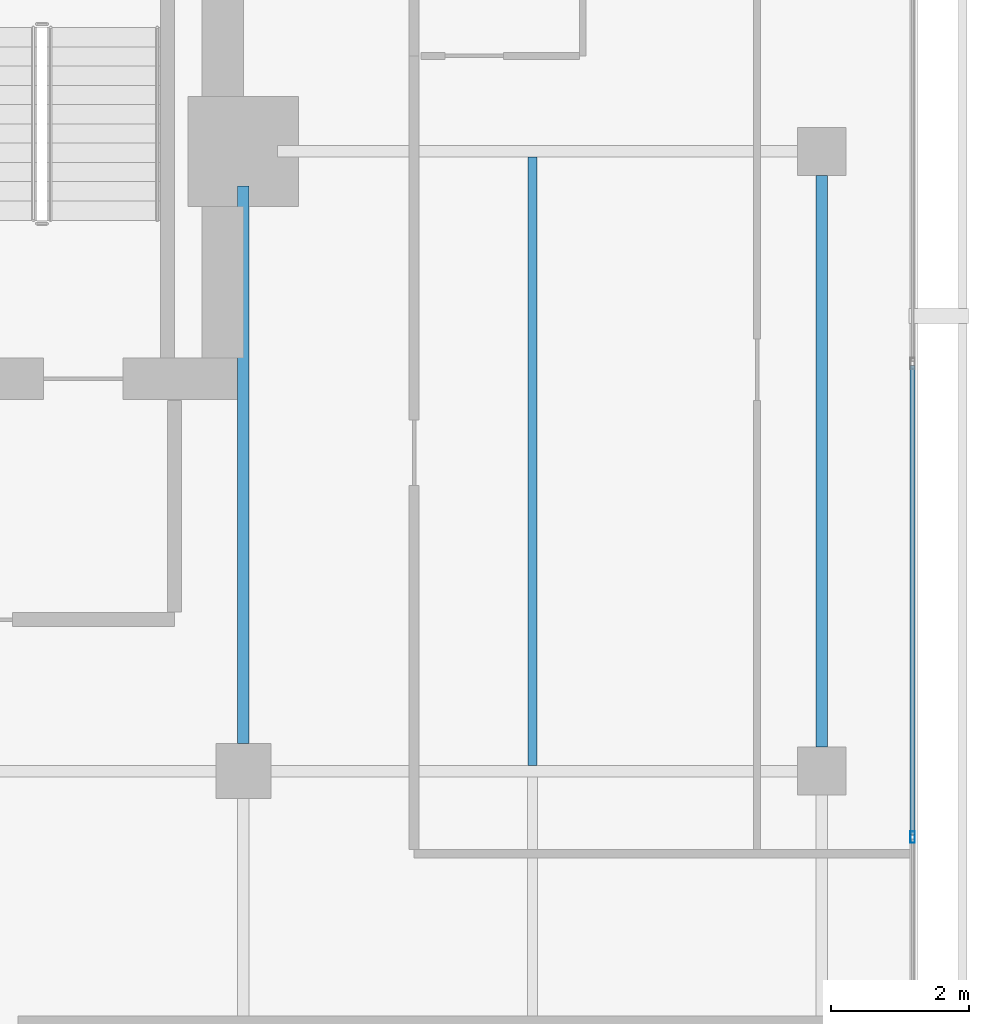
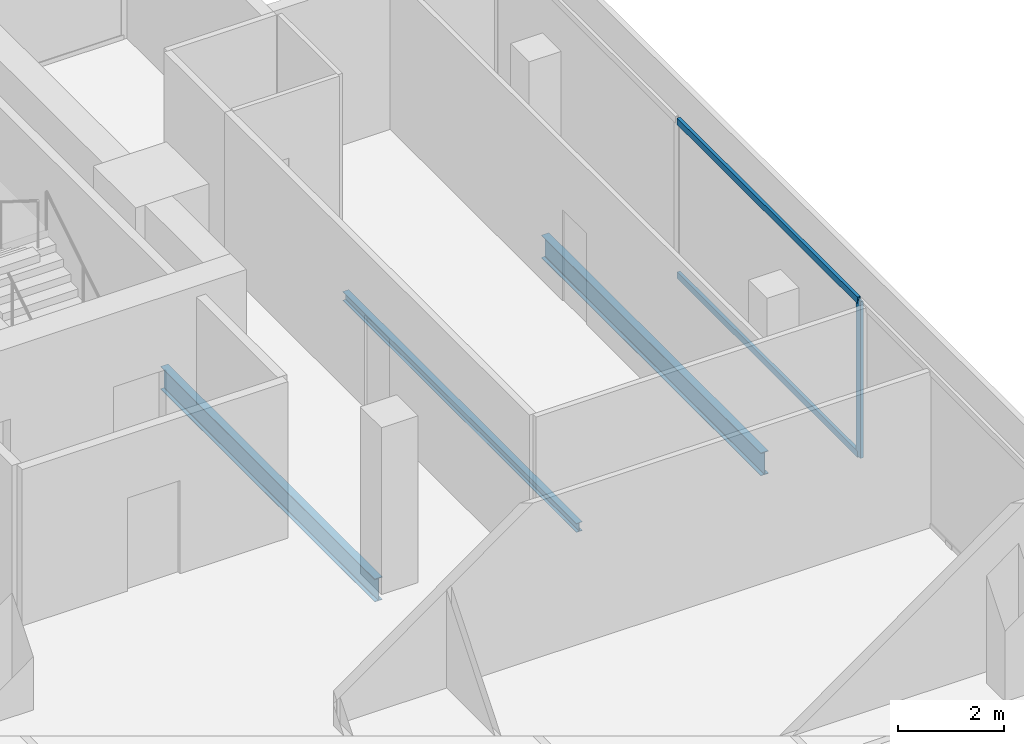
# One storey, part 15 of 25: 3 beams, 3 members, 1 element without a shape of its own.
"""IFC4 building model written with IfcOpenShell, lengths in metres."""

import ifcopenshell
import ifcopenshell.guid

model = None  # the IFC model being written
_history = None  # IfcOwnerHistory: only IFC2X3 demands one
_inside = {}  # id of a spatial element -> (the spatial element, [elements in it])
_under = {}  # id of a project, library or spatial element -> (it, [spatial elements below it])
_declared = {}  # id of a project -> (the project, [libraries it declares])
_typed = {}  # id of a type object -> (the type object, [elements of that type])
_made_of = {}  # id of a material, layer set ... -> (it, [elements and type objects made of it])


def new_model(schema):
    """Start an empty IFC model of exactly this schema.

    Asked for "IFC4X3", IfcOpenShell would pick the latest addendum, in which some entities
    have other attributes; the version numbers below select the first issue.
    IFC2X3 requires an IfcOwnerHistory on every rooted entity: one is made here for all.
    """
    global model, _history
    if schema == "IFC4X3":
        model = ifcopenshell.file(schema_version=(4, 3, 0, 0))
    else:
        model = ifcopenshell.file(schema=schema)
    _inside.clear()
    _under.clear()
    _declared.clear()
    _typed.clear()
    _made_of.clear()
    _history = None
    if model.schema == "IFC2X3":
        org = make("IfcOrganization", Name="unknown")
        user = make(
            "IfcPersonAndOrganization",
            ThePerson=make("IfcPerson", FamilyName="unknown"),
            TheOrganization=org,
        )
        app = make(
            "IfcApplication",
            ApplicationDeveloper=org,
            Version="unknown",
            ApplicationFullName="unknown",
            ApplicationIdentifier="unknown",
        )
        _history = make(
            "IfcOwnerHistory",
            OwningUser=user,
            OwningApplication=app,
            ChangeAction="ADDED",
            CreationDate=0,
        )
    return model


def make(cls, **values):
    """One entity of the class cls with the attributes given. An attribute that is None is left unset."""
    return model.create_entity(
        cls, **{name: value for name, value in values.items() if value is not None}
    )


def rooted(cls, **values):
    """An entity with a GlobalId (a new one), such as an element, a storey or a relation."""
    return make(cls, GlobalId=ifcopenshell.guid.new(), OwnerHistory=_history, **values)


def si_unit(unit_type, name, prefix=None):
    """IfcSIUnit, for example si_unit("LENGTHUNIT", "METRE", prefix="MILLI")."""
    return make("IfcSIUnit", UnitType=unit_type, Prefix=prefix, Name=name)


def assignment(units):
    """IfcUnitAssignment: the units of a project."""
    return None if units is None else make("IfcUnitAssignment", Units=units)


def point(xyz):
    """IfcCartesianPoint."""
    return None if xyz is None else make("IfcCartesianPoint", Coordinates=xyz)


def direction(xyz):
    """IfcDirection."""
    return None if xyz is None else make("IfcDirection", DirectionRatios=xyz)


def frame(location, z_axis=None, x_axis=None):
    """IfcAxis2Placement3D, a coordinate frame: its origin and axes. An axis left out is left unset."""
    return make(
        "IfcAxis2Placement3D",
        Location=point(location),
        Axis=direction(z_axis),
        RefDirection=direction(x_axis),
    )


def frame_2d(location, x_axis=None):
    """IfcAxis2Placement2D, a coordinate frame in the plane: its origin and x axis."""
    return make(
        "IfcAxis2Placement2D", Location=point(location), RefDirection=direction(x_axis)
    )


def origin():
    """The frame at (0, 0, 0) with its axes left unset."""
    return frame((0.0, 0.0, 0.0))


def origin_2d():
    """The frame at (0, 0) in the plane with its x axis left unset."""
    return frame_2d((0.0, 0.0))


def place(relative_to, where):
    """IfcLocalPlacement: puts the frame where relative to a parent placement (None: the world)."""
    return make(
        "IfcLocalPlacement", PlacementRelTo=relative_to, RelativePlacement=where
    )


def context(
    kind, dimensions, precision=None, world=None, true_north=None, identifier=None
):
    """IfcGeometricRepresentationContext, for example the 3D "Model" context."""
    return make(
        "IfcGeometricRepresentationContext",
        ContextIdentifier=identifier,
        ContextType=kind,
        CoordinateSpaceDimension=dimensions,
        Precision=precision,
        WorldCoordinateSystem=world,
        TrueNorth=true_north,
    )


def subcontext(parent, identifier, kind, view, scale=None):
    """IfcGeometricRepresentationSubContext, for example "Body" below "Model"."""
    return make(
        "IfcGeometricRepresentationSubContext",
        ContextIdentifier=identifier,
        ContextType=kind,
        ParentContext=parent,
        TargetScale=scale,
        TargetView=view,
    )


def project(units=None, contexts=None):
    """IfcProject with its units and contexts."""
    return rooted(
        "IfcProject",
        Name="project",
        RepresentationContexts=contexts,
        UnitsInContext=assignment(units),
    )


def spatial(cls, under=None, at=None, **own):
    """A site, building, storey or space (cls), placed at a placement, below another one or the project."""
    s = rooted(cls, ObjectPlacement=at, **own)
    if under is not None:
        _under.setdefault(under.id(), (under, []))[1].append(s)
    return s


def profile(cls, at=None, kind="AREA", **sizes):
    """A parametric profile (cls). Its sizes go by their IFC names, for example OverallWidth=200.0."""
    return make(cls, ProfileType=kind, Position=at, **sizes)


def hollow_rectangle(**sizes):
    """IfcRectangleHollowProfileDef."""
    return profile("IfcRectangleHollowProfileDef", **sizes)


def i_section(**sizes):
    """IfcIShapeProfileDef."""
    return profile("IfcIShapeProfileDef", **sizes)


def extrude(swept, where, along, depth):
    """IfcExtrudedAreaSolid: the profile swept, set in the frame where, extruded along a direction by depth."""
    return make(
        "IfcExtrudedAreaSolid",
        SweptArea=swept,
        Position=where,
        ExtrudedDirection=direction(along),
        Depth=depth,
    )


def shape(context_of_items, identifier, shape_type, items):
    """IfcShapeRepresentation: the items that make up one representation, for example the "Body"."""
    return make(
        "IfcShapeRepresentation",
        ContextOfItems=context_of_items,
        RepresentationIdentifier=identifier,
        RepresentationType=shape_type,
        Items=items,
    )


def material(Name=None, Category=None):
    """IfcMaterial."""
    return make("IfcMaterial", Name=Name, Category=Category)


def layer(
    of_material, thickness, ventilated=None, Name=None, Category=None, Priority=None
):
    """IfcMaterialLayer: one layer of a wall or slab, of a material (None: an air gap)."""
    return make(
        "IfcMaterialLayer",
        Material=of_material,
        LayerThickness=thickness,
        IsVentilated=ventilated,
        Name=Name,
        Category=Category,
        Priority=Priority,
    )


def layer_set(layers, Name=None):
    """IfcMaterialLayerSet."""
    return make("IfcMaterialLayerSet", MaterialLayers=layers, LayerSetName=Name)


def material_profile(
    of_material, cross_section, Name=None, Category=None, Priority=None
):
    """IfcMaterialProfile: a cross section and its material."""
    return make(
        "IfcMaterialProfile",
        Name=Name,
        Material=of_material,
        Profile=cross_section,
        Priority=Priority,
        Category=Category,
    )


def profile_set(profiles, Name=None, composite=None):
    """IfcMaterialProfileSet."""
    return make(
        "IfcMaterialProfileSet",
        Name=Name,
        MaterialProfiles=profiles,
        CompositeProfile=composite,
    )


def made_of(thing, what):
    """Note that an element or type object is made of a material, layer set ...; save() writes the relation."""
    if what is not None:
        _made_of.setdefault(what.id(), (what, []))[1].append(thing)
    return thing


def type_object(cls, material=None, **own):
    """A type object (cls), such as IfcWallType, which elements share."""
    return made_of(rooted(cls, **own), material)


def element(
    cls,
    number,
    at=None,
    inside=None,
    cuts=None,
    type_object=None,
    material=None,
    context=None,
    identifier="Body",
    shape_type=None,
    held_by="IfcProductDefinitionShape",
    body=None,
    shapes=None,
    **own,
):
    """One element of the class cls, such as IfcWall. Its Tag is "e" and its number.

    at: its placement. inside: the storey or other place that contains it. cuts: it is an
    opening in that element (IfcRelVoidsElement). A single representation is given by context,
    identifier, shape_type and body (its items); several are given by shapes. held_by: the class
    of the entity that holds the representations. save() writes the other relations.
    """
    e = rooted(cls, Tag="e%d" % number, ObjectPlacement=at, **own)
    if body is not None:
        shapes = [shape(context, identifier, shape_type, body)]
    if shapes is not None:
        e.Representation = make(held_by, Representations=shapes)
    if inside is not None:
        _inside.setdefault(inside.id(), (inside, []))[1].append(e)
    if cuts is not None:
        rooted(
            "IfcRelVoidsElement", RelatingBuildingElement=cuts, RelatedOpeningElement=e
        )
    if type_object is not None:
        _typed.setdefault(type_object.id(), (type_object, []))[1].append(e)
    return made_of(e, material)


def aggregate(whole, parts):
    """IfcRelAggregates: a whole, such as a stair, and the parts it consists of."""
    return rooted("IfcRelAggregates", RelatingObject=whole, RelatedObjects=parts)


def save(model, path):
    """Write the relations noted so far, then the file.

    IfcRelAggregates (storeys below a building ...), IfcRelContainedInSpatialStructure (elements
    in a storey), IfcRelDefinesByType, IfcRelAssociatesMaterial and IfcRelDeclares: one each for
    every whole, place, type object, material and project.
    """
    for whole, parts in _under.values():
        aggregate(whole, parts)
    for where, things in _inside.values():
        rooted(
            "IfcRelContainedInSpatialStructure",
            RelatedElements=things,
            RelatingStructure=where,
        )
    for kind, things in _typed.values():
        rooted("IfcRelDefinesByType", RelatedObjects=things, RelatingType=kind)
    for what, things in _made_of.values():
        rooted("IfcRelAssociatesMaterial", RelatedObjects=things, RelatingMaterial=what)
    for by, libraries in _declared.values():
        rooted("IfcRelDeclares", RelatingContext=by, RelatedDefinitions=libraries)
    model.write(path)


model = new_model("IFC4")

# Units and contexts
model_context = context("Model", 3, precision=1e-05, world=origin(), true_north=direction((0.0, 1.0)))
body_context = subcontext(model_context, "Body", "Model", "MODEL_VIEW")
ifc_project = project(units=[si_unit("LENGTHUNIT", "METRE"), si_unit("AREAUNIT", "SQUARE_METRE"), si_unit("VOLUMEUNIT", "CUBIC_METRE"), si_unit("PLANEANGLEUNIT", "RADIAN"), si_unit("MASSUNIT", "GRAM", prefix="KILO")], contexts=[model_context])

# Site, building, storey
site_placement = place(None, origin())
site = spatial("IfcSite", under=ifc_project, at=site_placement, CompositionType="ELEMENT")
building_placement = place(site_placement, origin())
building = spatial("IfcBuilding", under=site, at=building_placement, Name="Maruvema Waterfront Hotel and Observation Tower", CompositionType="ELEMENT")
storey_placement = place(building_placement, frame((0.0, 0.0, 281.75)))
storey = spatial("IfcBuildingStorey", under=building, at=storey_placement, Name="L69", CompositionType="ELEMENT", Elevation=281.75)

# Curtain wall, members
ifc_material_1 = material(Name="Anodised bronze aluminium and solar-control low-E IGU", Category="aluminium")
ifc_layer = layer(ifc_material_1, 0.159912109375, Name="Zone 3 Champagne Inner Thermal Curtain Wall System CW-04")
ifc_layer_set = layer_set([ifc_layer], Name="Anodised bronze aluminium and solar-control low-E IGU")
curtain_wall_type = type_object("IfcCurtainWallType", Name="Zone 3 Champagne Inner Thermal Curtain Wall System CW-04", PredefinedType="USERDEFINED", material=ifc_layer_set)
curtain_wall_placement = place(storey_placement, origin())
curtain_wall = element("IfcCurtainWall", 1, at=curtain_wall_placement, inside=storey, type_object=curtain_wall_type, Name="L69 Curtain Wall CW-L69-E", ObjectType="UNITISED CURTAIN WALL", PredefinedType="USERDEFINED")
ifc_material_2 = material(Name="Anodised architectural bronze aluminium", Category="aluminium")
ifc_material_profile_1 = material_profile(ifc_material_2, hollow_rectangle(XDim=0.070068359375, YDim=0.14990234375, WallThickness=0.00390625, at=origin_2d()), Name="ALU-T70x150")
ifc_profile_set_1 = profile_set([ifc_material_profile_1], Name="Anodised architectural bronze aluminium")
member_type_1 = type_object("IfcMemberType", Name="Curtain Wall Horizontal Transom ALU-T70x150", PredefinedType="USERDEFINED", material=ifc_profile_set_1)
member_1_placement = place(storey_placement, frame((60.1201171875, 35.070068359375, 0.030029296875), z_axis=(0.0, 1.0, 0.0), x_axis=(-1.0, 0.0, 0.0)))
member_1 = element("IfcMember", 2, at=member_1_placement, type_object=member_type_1, Name="CW-04 transom 4.1", ObjectType="TRANSOM", PredefinedType="USERDEFINED", context=body_context, shape_type="SweptSolid", body=[
    extrude(hollow_rectangle(XDim=0.070068359375, YDim=0.14990234375, WallThickness=0.00390625, at=origin_2d()), origin(), (0.0, 0.0, 1.0), 6.81982421875),
])
member_2_placement = place(storey_placement, frame((60.1201171875, 35.070068359375, 3.580078125), z_axis=(0.0, 1.0, 0.0), x_axis=(-1.0, 0.0, 0.0)))
member_2 = element("IfcMember", 3, at=member_2_placement, type_object=member_type_1, Name="CW-04 transom 4.2", ObjectType="TRANSOM", PredefinedType="USERDEFINED", context=body_context, shape_type="SweptSolid", body=[
    extrude(hollow_rectangle(XDim=0.070068359375, YDim=0.14990234375, WallThickness=0.00390625, at=origin_2d()), origin(), (0.0, 0.0, 1.0), 6.81982421875),
])
ifc_material_3 = material(Name="Anodised architectural bronze aluminium", Category="aluminium")
ifc_material_profile_2 = material_profile(ifc_material_3, hollow_rectangle(XDim=0.06494140625, YDim=0.1650390625, WallThickness=0.00390625, at=origin_2d()), Name="ALU-M65x165")
ifc_profile_set_2 = profile_set([ifc_material_profile_2], Name="Anodised architectural bronze aluminium")
member_type_2 = type_object("IfcMemberType", Name="Curtain Wall Primary Mullion ALU-M65x165", PredefinedType="MULLION", material=ifc_profile_set_2)
member_3_placement = place(storey_placement, frame((60.1201171875, 35.0400390625, 0.0), z_axis=(0.0, 0.0, 1.0), x_axis=(-1.0, 0.0, 0.0)))
member_3 = element("IfcMember", 4, at=member_3_placement, type_object=member_type_2, Name="CW-04 mullion 4", PredefinedType="MULLION", context=body_context, shape_type="SweptSolid", body=[
    extrude(hollow_rectangle(XDim=0.06494140625, YDim=0.1650390625, WallThickness=0.00390625, at=origin_2d()), origin(), (0.0, 0.0, 1.0), 3.610107421875),
])
aggregate(curtain_wall, [member_3, member_1, member_2])

# Beams
ifc_material_4 = material(Name="Steel ASTM A572 Grade 50", Category="steel")
ifc_material_profile_3 = material_profile(ifc_material_4, i_section(OverallWidth=0.166015625, OverallDepth=0.529052734375, WebThickness=0.009765625, FlangeThickness=0.013671875, FilletRadius=0.014892578125, at=origin_2d()), Name="W530x74.0")
ifc_profile_set_3 = profile_set([ifc_material_profile_3], Name="Steel ASTM A572 Grade 50")
beam_type_1 = type_object("IfcBeamType", Name="Primary Floor Girder W530x74.0", PredefinedType="BEAM", material=ifc_profile_set_3)
beam_1_placement = place(storey_placement, frame((50.39990234375, 36.39990234375, -0.50439453125), z_axis=(0.0, 1.0, 0.0), x_axis=(-1.0, 0.0, 0.0)))
element("IfcBeam", 5, at=beam_1_placement, inside=storey, type_object=beam_type_1, Name="L69 Floor Girder NS-15", PredefinedType="BEAM", context=body_context, shape_type="SweptSolid", body=[
    extrude(i_section(OverallWidth=0.166015625, OverallDepth=0.529052734375, WebThickness=0.009765625, FlangeThickness=0.013671875, FilletRadius=0.014892578125, at=origin_2d()), origin(), (0.0, 0.0, 1.0), 8.10009765625),
])
beam_2_placement = place(storey_placement, frame((58.800048828125, 36.35009765625, -0.50439453125), z_axis=(0.0, 1.0, 0.0), x_axis=(-1.0, 0.0, 0.0)))
element("IfcBeam", 6, at=beam_2_placement, inside=storey, type_object=beam_type_1, Name="L69 Floor Girder NS-18", PredefinedType="BEAM", context=body_context, shape_type="SweptSolid", body=[
    extrude(i_section(OverallWidth=0.166015625, OverallDepth=0.529052734375, WebThickness=0.009765625, FlangeThickness=0.013671875, FilletRadius=0.014892578125, at=origin_2d()), origin(), (0.0, 0.0, 1.0), 8.2998046875),
])
ifc_material_5 = material(Name="Steel ASTM A572 Grade 50", Category="steel")
ifc_material_profile_4 = material_profile(ifc_material_5, i_section(OverallWidth=0.133056640625, OverallDepth=0.20703125, WebThickness=0.005859375, FlangeThickness=0.00830078125, FilletRadius=0.010009765625, at=origin_2d()), Name="W200x26.6")
ifc_profile_set_4 = profile_set([ifc_material_profile_4], Name="Steel ASTM A572 Grade 50")
beam_type_2 = type_object("IfcBeamType", Name="Secondary Floor Joist W200x26.6", PredefinedType="JOIST", material=ifc_profile_set_4)
beam_3_placement = place(storey_placement, frame((54.60009765625, 36.0830078125, -0.343505859375), z_axis=(0.0, 1.0, 0.0), x_axis=(-1.0, 0.0, 0.0)))
element("IfcBeam", 7, at=beam_3_placement, inside=storey, type_object=beam_type_2, Name="L69 Secondary Floor Joist JS-09", PredefinedType="JOIST", context=body_context, shape_type="SweptSolid", body=[
    extrude(i_section(OverallWidth=0.133056640625, OverallDepth=0.20703125, WebThickness=0.005859375, FlangeThickness=0.00830078125, FilletRadius=0.010009765625, at=origin_2d()), origin(), (0.0, 0.0, 1.0), 8.833984375),
])

save(model, "model.ifc")
